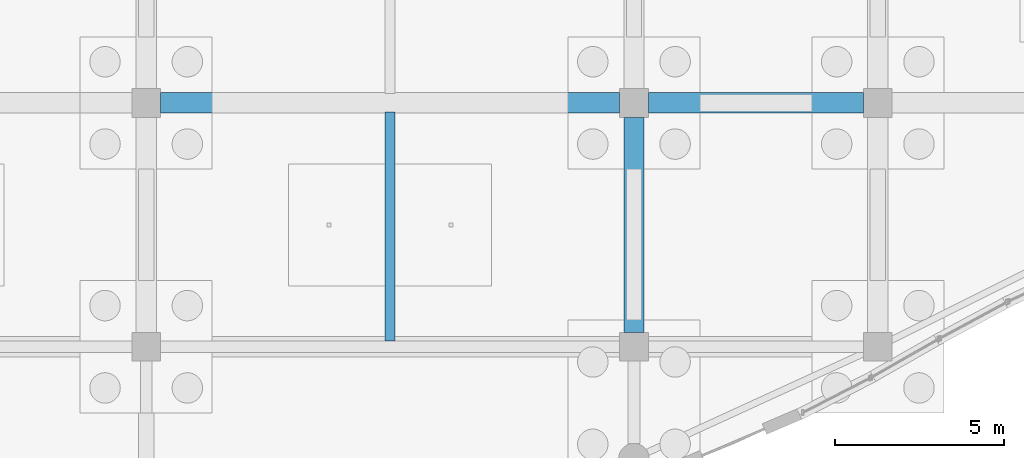
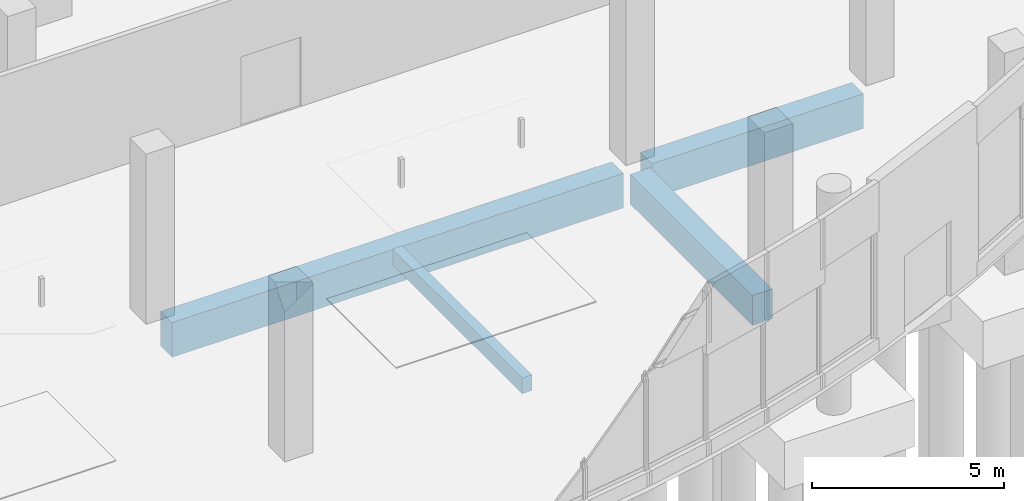
# One storey, part 45 of 192: 4 beams.
"""IFC4 building model written with IfcOpenShell, lengths in metres."""

import ifcopenshell
import ifcopenshell.guid

model = None  # the IFC model being written
_history = None  # IfcOwnerHistory: only IFC2X3 demands one
_inside = {}  # id of a spatial element -> (the spatial element, [elements in it])
_under = {}  # id of a project, library or spatial element -> (it, [spatial elements below it])
_declared = {}  # id of a project -> (the project, [libraries it declares])
_typed = {}  # id of a type object -> (the type object, [elements of that type])
_made_of = {}  # id of a material, layer set ... -> (it, [elements and type objects made of it])


def new_model(schema):
    """Start an empty IFC model of exactly this schema.

    Asked for "IFC4X3", IfcOpenShell would pick the latest addendum, in which some entities
    have other attributes; the version numbers below select the first issue.
    IFC2X3 requires an IfcOwnerHistory on every rooted entity: one is made here for all.
    """
    global model, _history
    if schema == "IFC4X3":
        model = ifcopenshell.file(schema_version=(4, 3, 0, 0))
    else:
        model = ifcopenshell.file(schema=schema)
    _inside.clear()
    _under.clear()
    _declared.clear()
    _typed.clear()
    _made_of.clear()
    _history = None
    if model.schema == "IFC2X3":
        org = make("IfcOrganization", Name="unknown")
        user = make(
            "IfcPersonAndOrganization",
            ThePerson=make("IfcPerson", FamilyName="unknown"),
            TheOrganization=org,
        )
        app = make(
            "IfcApplication",
            ApplicationDeveloper=org,
            Version="unknown",
            ApplicationFullName="unknown",
            ApplicationIdentifier="unknown",
        )
        _history = make(
            "IfcOwnerHistory",
            OwningUser=user,
            OwningApplication=app,
            ChangeAction="ADDED",
            CreationDate=0,
        )
    return model


def make(cls, **values):
    """One entity of the class cls with the attributes given. An attribute that is None is left unset."""
    return model.create_entity(
        cls, **{name: value for name, value in values.items() if value is not None}
    )


def rooted(cls, **values):
    """An entity with a GlobalId (a new one), such as an element, a storey or a relation."""
    return make(cls, GlobalId=ifcopenshell.guid.new(), OwnerHistory=_history, **values)


def si_unit(unit_type, name, prefix=None):
    """IfcSIUnit, for example si_unit("LENGTHUNIT", "METRE", prefix="MILLI")."""
    return make("IfcSIUnit", UnitType=unit_type, Prefix=prefix, Name=name)


def assignment(units):
    """IfcUnitAssignment: the units of a project."""
    return None if units is None else make("IfcUnitAssignment", Units=units)


def point(xyz):
    """IfcCartesianPoint."""
    return None if xyz is None else make("IfcCartesianPoint", Coordinates=xyz)


def direction(xyz):
    """IfcDirection."""
    return None if xyz is None else make("IfcDirection", DirectionRatios=xyz)


def frame(location, z_axis=None, x_axis=None):
    """IfcAxis2Placement3D, a coordinate frame: its origin and axes. An axis left out is left unset."""
    return make(
        "IfcAxis2Placement3D",
        Location=point(location),
        Axis=direction(z_axis),
        RefDirection=direction(x_axis),
    )


def frame_2d(location, x_axis=None):
    """IfcAxis2Placement2D, a coordinate frame in the plane: its origin and x axis."""
    return make(
        "IfcAxis2Placement2D", Location=point(location), RefDirection=direction(x_axis)
    )


def origin():
    """The frame at (0, 0, 0) with its axes left unset."""
    return frame((0.0, 0.0, 0.0))


def origin_2d():
    """The frame at (0, 0) in the plane with its x axis left unset."""
    return frame_2d((0.0, 0.0))


def place(relative_to, where):
    """IfcLocalPlacement: puts the frame where relative to a parent placement (None: the world)."""
    return make(
        "IfcLocalPlacement", PlacementRelTo=relative_to, RelativePlacement=where
    )


def context(
    kind, dimensions, precision=None, world=None, true_north=None, identifier=None
):
    """IfcGeometricRepresentationContext, for example the 3D "Model" context."""
    return make(
        "IfcGeometricRepresentationContext",
        ContextIdentifier=identifier,
        ContextType=kind,
        CoordinateSpaceDimension=dimensions,
        Precision=precision,
        WorldCoordinateSystem=world,
        TrueNorth=true_north,
    )


def subcontext(parent, identifier, kind, view, scale=None):
    """IfcGeometricRepresentationSubContext, for example "Body" below "Model"."""
    return make(
        "IfcGeometricRepresentationSubContext",
        ContextIdentifier=identifier,
        ContextType=kind,
        ParentContext=parent,
        TargetScale=scale,
        TargetView=view,
    )


def project(units=None, contexts=None):
    """IfcProject with its units and contexts."""
    return rooted(
        "IfcProject",
        Name="project",
        RepresentationContexts=contexts,
        UnitsInContext=assignment(units),
    )


def spatial(cls, under=None, at=None, **own):
    """A site, building, storey or space (cls), placed at a placement, below another one or the project."""
    s = rooted(cls, ObjectPlacement=at, **own)
    if under is not None:
        _under.setdefault(under.id(), (under, []))[1].append(s)
    return s


def profile(cls, at=None, kind="AREA", **sizes):
    """A parametric profile (cls). Its sizes go by their IFC names, for example OverallWidth=200.0."""
    return make(cls, ProfileType=kind, Position=at, **sizes)


def rectangle(**sizes):
    """IfcRectangleProfileDef."""
    return profile("IfcRectangleProfileDef", **sizes)


def extrude(swept, where, along, depth):
    """IfcExtrudedAreaSolid: the profile swept, set in the frame where, extruded along a direction by depth."""
    return make(
        "IfcExtrudedAreaSolid",
        SweptArea=swept,
        Position=where,
        ExtrudedDirection=direction(along),
        Depth=depth,
    )


def shape(context_of_items, identifier, shape_type, items):
    """IfcShapeRepresentation: the items that make up one representation, for example the "Body"."""
    return make(
        "IfcShapeRepresentation",
        ContextOfItems=context_of_items,
        RepresentationIdentifier=identifier,
        RepresentationType=shape_type,
        Items=items,
    )


def material(Name=None, Category=None):
    """IfcMaterial."""
    return make("IfcMaterial", Name=Name, Category=Category)


def material_profile(
    of_material, cross_section, Name=None, Category=None, Priority=None
):
    """IfcMaterialProfile: a cross section and its material."""
    return make(
        "IfcMaterialProfile",
        Name=Name,
        Material=of_material,
        Profile=cross_section,
        Priority=Priority,
        Category=Category,
    )


def profile_set(profiles, Name=None, composite=None):
    """IfcMaterialProfileSet."""
    return make(
        "IfcMaterialProfileSet",
        Name=Name,
        MaterialProfiles=profiles,
        CompositeProfile=composite,
    )


def made_of(thing, what):
    """Note that an element or type object is made of a material, layer set ...; save() writes the relation."""
    if what is not None:
        _made_of.setdefault(what.id(), (what, []))[1].append(thing)
    return thing


def type_object(cls, material=None, **own):
    """A type object (cls), such as IfcWallType, which elements share."""
    return made_of(rooted(cls, **own), material)


def element(
    cls,
    number,
    at=None,
    inside=None,
    cuts=None,
    type_object=None,
    material=None,
    context=None,
    identifier="Body",
    shape_type=None,
    held_by="IfcProductDefinitionShape",
    body=None,
    shapes=None,
    **own,
):
    """One element of the class cls, such as IfcWall. Its Tag is "e" and its number.

    at: its placement. inside: the storey or other place that contains it. cuts: it is an
    opening in that element (IfcRelVoidsElement). A single representation is given by context,
    identifier, shape_type and body (its items); several are given by shapes. held_by: the class
    of the entity that holds the representations. save() writes the other relations.
    """
    e = rooted(cls, Tag="e%d" % number, ObjectPlacement=at, **own)
    if body is not None:
        shapes = [shape(context, identifier, shape_type, body)]
    if shapes is not None:
        e.Representation = make(held_by, Representations=shapes)
    if inside is not None:
        _inside.setdefault(inside.id(), (inside, []))[1].append(e)
    if cuts is not None:
        rooted(
            "IfcRelVoidsElement", RelatingBuildingElement=cuts, RelatedOpeningElement=e
        )
    if type_object is not None:
        _typed.setdefault(type_object.id(), (type_object, []))[1].append(e)
    return made_of(e, material)


def aggregate(whole, parts):
    """IfcRelAggregates: a whole, such as a stair, and the parts it consists of."""
    return rooted("IfcRelAggregates", RelatingObject=whole, RelatedObjects=parts)


def save(model, path):
    """Write the relations noted so far, then the file.

    IfcRelAggregates (storeys below a building ...), IfcRelContainedInSpatialStructure (elements
    in a storey), IfcRelDefinesByType, IfcRelAssociatesMaterial and IfcRelDeclares: one each for
    every whole, place, type object, material and project.
    """
    for whole, parts in _under.values():
        aggregate(whole, parts)
    for where, things in _inside.values():
        rooted(
            "IfcRelContainedInSpatialStructure",
            RelatedElements=things,
            RelatingStructure=where,
        )
    for kind, things in _typed.values():
        rooted("IfcRelDefinesByType", RelatedObjects=things, RelatingType=kind)
    for what, things in _made_of.values():
        rooted("IfcRelAssociatesMaterial", RelatedObjects=things, RelatingMaterial=what)
    for by, libraries in _declared.values():
        rooted("IfcRelDeclares", RelatingContext=by, RelatedDefinitions=libraries)
    model.write(path)


model = new_model("IFC4")

# Units and contexts
model_context = context("Model", 3, precision=1e-05, world=origin(), true_north=direction((0.0, 1.0)))
body_context = subcontext(model_context, "Body", "Model", "MODEL_VIEW")
ifc_project = project(units=[si_unit("LENGTHUNIT", "METRE"), si_unit("AREAUNIT", "SQUARE_METRE"), si_unit("VOLUMEUNIT", "CUBIC_METRE"), si_unit("PLANEANGLEUNIT", "RADIAN"), si_unit("MASSUNIT", "GRAM", prefix="KILO")], contexts=[model_context])

# Site, building, storey
site_placement = place(None, origin())
site = spatial("IfcSite", under=ifc_project, at=site_placement, CompositionType="ELEMENT")
building_placement = place(site_placement, origin())
building = spatial("IfcBuilding", under=site, at=building_placement, Name="Cendralis Lancet Convention Centre", CompositionType="ELEMENT")
storey_placement = place(building_placement, origin())
storey = spatial("IfcBuildingStorey", under=building, at=storey_placement, Name="L00", CompositionType="ELEMENT", Elevation=0.0)

# Beams
ifc_material_1 = material(Name="Concrete G40 (C40/50)", Category="concrete")
ifc_material_profile_1 = material_profile(ifc_material_1, rectangle(XDim=0.60009765625, YDim=1.10009765625, at=origin_2d()), Name="RCB 600x1100")
ifc_profile_set_1 = profile_set([ifc_material_profile_1], Name="Concrete G40 (C40/50)")
beam_type_1 = type_object("IfcBeamType", Name="STR-BM-BG02", PredefinedType="BEAM", material=ifc_profile_set_1)
beam_1_placement = place(storey_placement, frame((58.02490234375, 14.39990234375, -0.8701171875), z_axis=(1.0, 0.0, 0.0), x_axis=(0.0, 1.0, 0.0)))
element("IfcBeam", 1, at=beam_1_placement, inside=storey, type_object=beam_type_1, Name="L00 Beam BG02 #0666", PredefinedType="BEAM", context=body_context, shape_type="SweptSolid", body=[
    extrude(rectangle(XDim=0.60009765625, YDim=1.10009765625, at=origin_2d()), origin(), (0.0, 0.0, 1.0), 13.550048828125),
])
beam_2_placement = place(storey_placement, frame((72.425048828125, 14.39990234375, -0.8701171875), z_axis=(1.0, 0.0, 0.0), x_axis=(0.0, 1.0, 0.0)))
element("IfcBeam", 2, at=beam_2_placement, inside=storey, type_object=beam_type_1, Name="L00 Beam BG02 #0667", PredefinedType="BEAM", context=body_context, shape_type="SweptSolid", body=[
    extrude(rectangle(XDim=0.60009765625, YDim=1.10009765625, at=origin_2d()), origin(), (0.0, 0.0, 1.0), 6.349853515625),
])
ifc_material_profile_2 = material_profile(ifc_material_1, rectangle(XDim=0.60009765625, YDim=0.949951171875, at=origin_2d()), Name="RCB 600x950")
ifc_profile_set_2 = profile_set([ifc_material_profile_2], Name="Concrete G40 (C40/50)")
beam_type_2 = type_object("IfcBeamType", Name="STR-BM-BG04", PredefinedType="BEAM", material=ifc_profile_set_2)
beam_3_placement = place(storey_placement, frame((72.0, 7.625, -0.794921875), z_axis=(0.0, 1.0, 0.0), x_axis=(-1.0, 0.0, 0.0)))
element("IfcBeam", 3, at=beam_3_placement, inside=storey, type_object=beam_type_2, Name="L00 Beam BG04 #0706", PredefinedType="BEAM", context=body_context, shape_type="SweptSolid", body=[
    extrude(rectangle(XDim=0.60009765625, YDim=0.949951171875, at=origin_2d()), origin(), (0.0, 0.0, 1.0), 6.35009765625),
])
ifc_material_2 = material(Name="Concrete G35 (C35/45)", Category="concrete")
ifc_material_profile_3 = material_profile(ifc_material_2, rectangle(XDim=0.300048828125, YDim=0.5, at=origin_2d()), Name="RCB 300x500")
ifc_profile_set_3 = profile_set([ifc_material_profile_3], Name="Concrete G35 (C35/45)")
beam_type_3 = type_object("IfcBeamType", Name="STR-JS-BJ03", PredefinedType="JOIST", material=ifc_profile_set_3)
beam_4_placement = place(storey_placement, frame((64.800048828125, 7.375, -0.570068359375), z_axis=(0.0, 1.0, 0.0), x_axis=(-1.0, 0.0, 0.0)))
element("IfcBeam", 4, at=beam_4_placement, inside=storey, type_object=beam_type_3, Name="L00 Beam BJ03 #0729", PredefinedType="JOIST", context=body_context, shape_type="SweptSolid", body=[
    extrude(rectangle(XDim=0.300048828125, YDim=0.5, at=origin_2d()), origin(), (0.0, 0.0, 1.0), 6.75),
])

save(model, "model.ifc")
